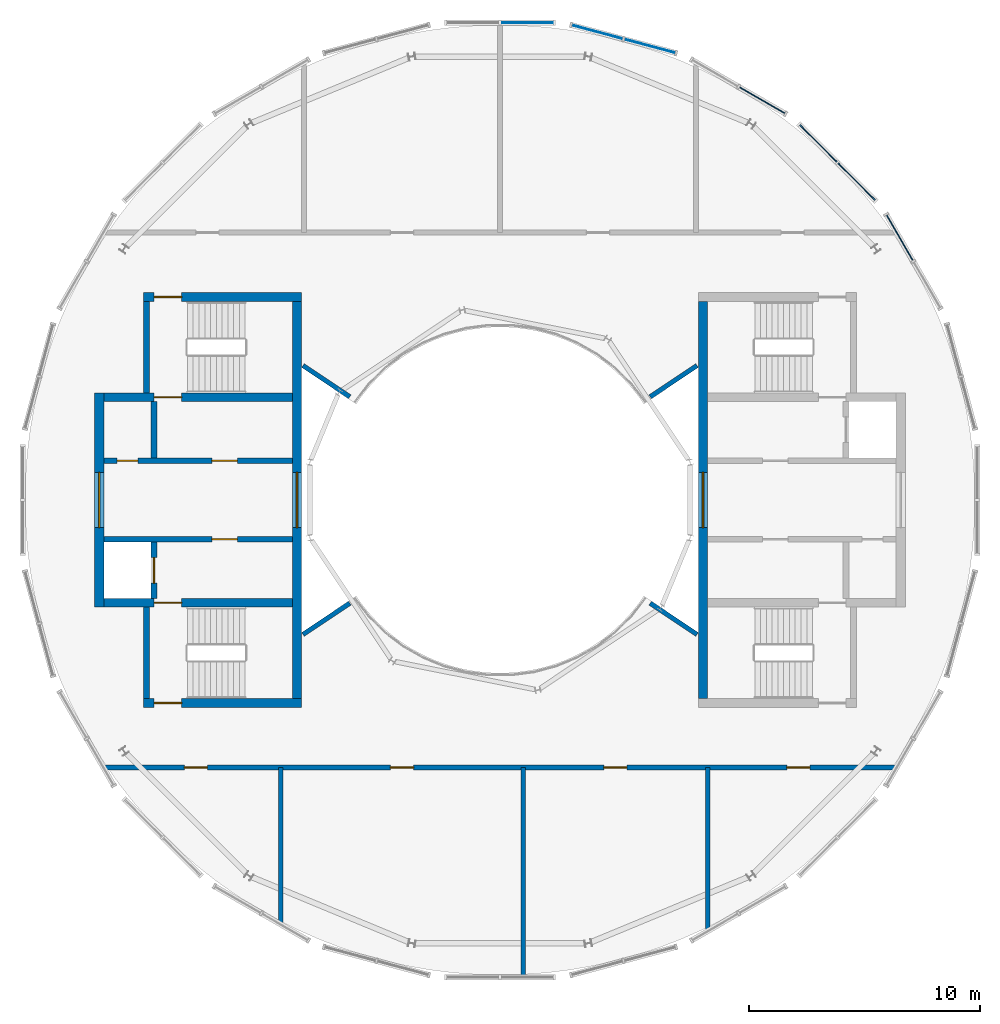
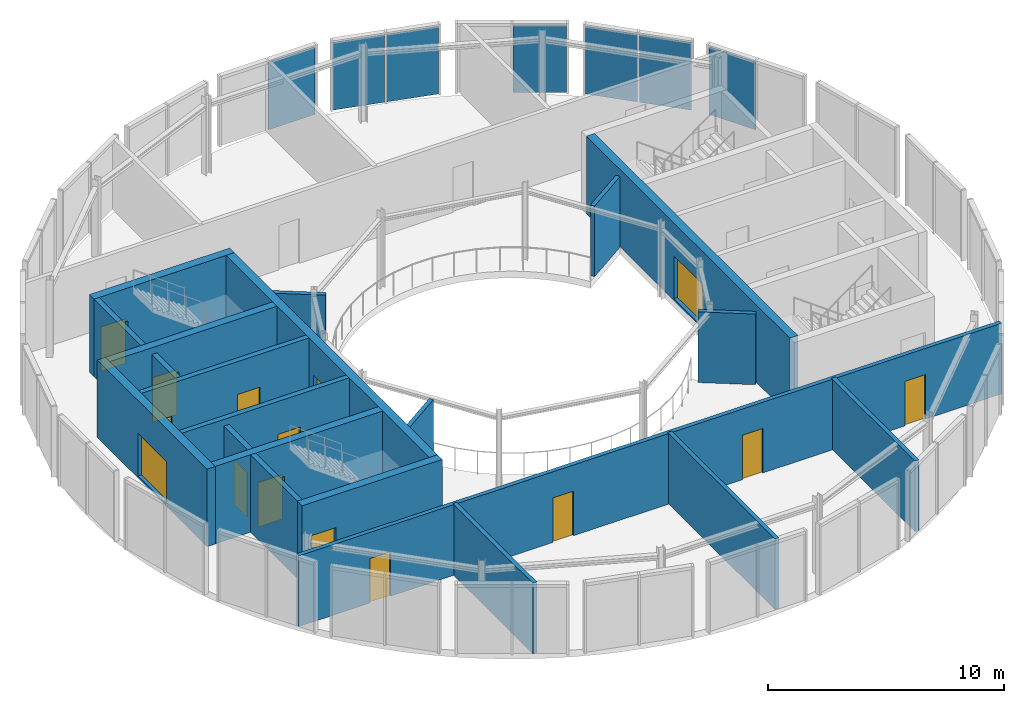
# One storey, part 8 of 12: 21 walls, 12 doors, 7 plates, 3 windows, 15 openings, 5 elements without a shape of their own.
"""IFC4 building model written with IfcOpenShell, lengths in metres."""

from ifc_helpers import new_model, si_unit, direction, frame, frame_2d, origin, origin_2d, place, context, subcontext, project, spatial, rectangle, extrude, material, layer, layer_set, type_object, element, fill, aggregate, save


model = new_model("IFC4")

# Units and contexts
model_context = context("Model", 3, precision=1e-05, world=origin(), true_north=direction((0.0, 1.0)))
body_context = subcontext(model_context, "Body", "Model", "MODEL_VIEW")
ifc_project = project(units=[si_unit("LENGTHUNIT", "METRE"), si_unit("AREAUNIT", "SQUARE_METRE"), si_unit("VOLUMEUNIT", "CUBIC_METRE"), si_unit("PLANEANGLEUNIT", "RADIAN"), si_unit("MASSUNIT", "GRAM", prefix="KILO")], contexts=[model_context])

# Site, building, storey
site_placement = place(None, origin())
site = spatial("IfcSite", under=ifc_project, at=site_placement, CompositionType="ELEMENT")
building_placement = place(site_placement, origin())
building = spatial("IfcBuilding", under=site, at=building_placement, Name="Maasbend Ring Residences", CompositionType="ELEMENT")
storey_placement = place(building_placement, frame((0.0, 0.0, 261.5)))
storey = spatial("IfcBuildingStorey", under=building, at=storey_placement, Name="L75", CompositionType="ELEMENT", Elevation=261.5)

# Curtain wall, plate
ifc_material_1 = material(Name="Aluminium and clear glass", Category="aluminium")
ifc_layer_1 = layer(ifc_material_1, 0.239990234375)
ifc_layer_set_1 = layer_set([ifc_layer_1], Name="CW-CN")
curtain_wall_type = type_object("IfcCurtainWallType", Name="CW-CN", PredefinedType="NOTDEFINED", material=ifc_layer_set_1)
curtain_wall_1_placement = place(storey_placement, origin())
curtain_wall_1 = element("IfcCurtainWall", 1, at=curtain_wall_1_placement, inside=storey, type_object=curtain_wall_type, Name="Crown drum glazing 02 L75", PredefinedType="NOTDEFINED")
ifc_material_2 = material(Name="Glass clear laminated", Category="glass")
ifc_layer_2 = layer(ifc_material_2, 0.0400390625)
ifc_layer_set_2 = layer_set([ifc_layer_2], Name="CWP-CN")
plate_type = type_object("IfcPlateType", Name="CWP-CN", PredefinedType="CURTAIN_PANEL", material=ifc_layer_set_2)
plate_1_placement = place(storey_placement, frame((17.32958984375, 11.3671875, 0.0), z_axis=(0.0, 0.0, 1.0), x_axis=(-0.5, 0.866025403784, 0.0)))
plate_1 = element("IfcPlate", 2, at=plate_1_placement, type_object=plate_type, Name="Glass panel crown cone", PredefinedType="CURTAIN_PANEL", context=body_context, shape_type="SweptSolid", body=[
    extrude(rectangle(XDim=2.26904296875, YDim=0.0400390625, at=origin_2d()), origin(), (0.0, 0.0, 1.0), 3.489990234375),
])
aggregate(curtain_wall_1, [plate_1])

# Curtain wall, plates
curtain_wall_2_placement = place(storey_placement, origin())
curtain_wall_2 = element("IfcCurtainWall", 3, at=curtain_wall_2_placement, inside=storey, type_object=curtain_wall_type, Name="Crown drum glazing 03 L75", PredefinedType="NOTDEFINED")
plate_2_placement = place(storey_placement, frame((15.465087890625, 13.797119140625, 0.0), z_axis=(0.0, 0.0, 1.0), x_axis=(-0.707106781187, 0.707106781187, 0.0)))
plate_2 = element("IfcPlate", 4, at=plate_2_placement, type_object=plate_type, Name="Glass panel crown cone", PredefinedType="CURTAIN_PANEL", context=body_context, shape_type="SweptSolid", body=[
    extrude(rectangle(XDim=2.26904296875, YDim=0.0400390625, at=origin_2d()), origin(), (0.0, 0.0, 1.0), 3.489990234375),
])
plate_3_placement = place(storey_placement, frame((13.797119140625, 15.465087890625, 0.0), z_axis=(0.0, 0.0, 1.0), x_axis=(-0.707106781187, 0.707106781187, 0.0)))
plate_3 = element("IfcPlate", 5, at=plate_3_placement, type_object=plate_type, Name="Glass panel crown cone", PredefinedType="CURTAIN_PANEL", context=body_context, shape_type="SweptSolid", body=[
    extrude(rectangle(XDim=2.26904296875, YDim=0.0400390625, at=origin_2d()), origin(), (0.0, 0.0, 1.0), 3.489990234375),
])
aggregate(curtain_wall_2, [plate_2, plate_3])

# Curtain wall, plate
curtain_wall_3_placement = place(storey_placement, origin())
curtain_wall_3 = element("IfcCurtainWall", 6, at=curtain_wall_3_placement, inside=storey, type_object=curtain_wall_type, Name="Crown drum glazing 04 L75", PredefinedType="NOTDEFINED")
plate_4_placement = place(storey_placement, frame((11.3671875, 17.32958984375, 0.0), z_axis=(0.0, 0.0, 1.0), x_axis=(-0.866025403784, 0.5, 0.0)))
plate_4 = element("IfcPlate", 7, at=plate_4_placement, type_object=plate_type, Name="Glass panel crown cone", PredefinedType="CURTAIN_PANEL", context=body_context, shape_type="SweptSolid", body=[
    extrude(rectangle(XDim=2.26904296875, YDim=0.0400390625, at=origin_2d()), origin(), (0.0, 0.0, 1.0), 3.489990234375),
])
aggregate(curtain_wall_3, [plate_4])

# Curtain wall, plates
curtain_wall_4_placement = place(storey_placement, origin())
curtain_wall_4 = element("IfcCurtainWall", 8, at=curtain_wall_4_placement, inside=storey, type_object=curtain_wall_type, Name="Crown drum glazing 05 L75", PredefinedType="NOTDEFINED")
plate_5_placement = place(storey_placement, frame((6.49462890625, 19.68115234375, 0.0), z_axis=(0.0, 0.0, 1.0), x_axis=(-0.965925826289, 0.258819045103, 0.0)))
plate_5 = element("IfcPlate", 9, at=plate_5_placement, type_object=plate_type, Name="Glass panel crown cone", PredefinedType="CURTAIN_PANEL", context=body_context, shape_type="SweptSolid", body=[
    extrude(rectangle(XDim=2.26904296875, YDim=0.0400390625, at=origin_2d()), origin(), (0.0, 0.0, 1.0), 3.489990234375),
])
plate_6_placement = place(storey_placement, frame((4.216064453125, 20.291748046875, 0.0), z_axis=(0.0, 0.0, 1.0), x_axis=(-0.965925826289, 0.258819045103, 0.0)))
plate_6 = element("IfcPlate", 10, at=plate_6_placement, type_object=plate_type, Name="Glass panel crown cone", PredefinedType="CURTAIN_PANEL", context=body_context, shape_type="SweptSolid", body=[
    extrude(rectangle(XDim=2.26904296875, YDim=0.0400390625, at=origin_2d()), origin(), (0.0, 0.0, 1.0), 3.489990234375),
])
aggregate(curtain_wall_4, [plate_5, plate_6])

# Curtain wall, plate
curtain_wall_5_placement = place(storey_placement, origin())
curtain_wall_5 = element("IfcCurtainWall", 11, at=curtain_wall_5_placement, inside=storey, type_object=curtain_wall_type, Name="Crown drum glazing 06 L75", PredefinedType="NOTDEFINED")
plate_7_placement = place(storey_placement, frame((1.179443359375, 20.69140625, 0.0), z_axis=(0.0, 0.0, 1.0), x_axis=(-1.0, 0.0, 0.0)))
plate_7 = element("IfcPlate", 12, at=plate_7_placement, type_object=plate_type, Name="Glass panel crown cone", PredefinedType="CURTAIN_PANEL", context=body_context, shape_type="SweptSolid", body=[
    extrude(rectangle(XDim=2.26904296875, YDim=0.0400390625, at=origin_2d()), origin(), (0.0, 0.0, 1.0), 3.489990234375),
])
aggregate(curtain_wall_5, [plate_7])

# Wall, openings, doors
ifc_material_3 = material(Name="Concrete C30/37", Category="concrete")
ifc_layer_3 = layer(ifc_material_3, 0.199951171875)
ifc_layer_set_3 = layer_set([ifc_layer_3], Name="Concrete C30/37")
wall_type_1 = type_object("IfcWallType", Name="COMPARTMENT WALL 200 CONCRETE", PredefinedType="PARTITIONING", material=ifc_layer_set_3)
wall_1_placement = place(storey_placement, frame((-17.177001953125, -11.60009765625, 0.0), z_axis=(0.0, 0.0, 1.0), x_axis=(1.0, 0.0, 0.0)))
wall_1 = element("IfcWall", 13, at=wall_1_placement, inside=storey, type_object=wall_type_1, Name="U-L75-w001", PredefinedType="PARTITIONING", context=body_context, shape_type="SweptSolid", body=[
    extrude(rectangle(XDim=34.35400390625, YDim=0.199951171875, at=frame_2d((17.177001953125, 0.0))), origin(), (0.0, 0.0, 1.0), 3.64990234375),
])
opening_1_placement = place(wall_1_placement, frame((3.490966796875, 0.0, 0.0)))
opening_1 = element("IfcOpeningElement", 14, at=opening_1_placement, cuts=wall_1, Name="Opening D-7505", PredefinedType="OPENING", context=body_context, shape_type="SweptSolid", body=[
    extrude(rectangle(XDim=1.0, YDim=2.300048828125, at=frame_2d((0.5, 1.14990234375))), frame((0.0, 0.10986328125, 0.0), z_axis=(0.0, -1.0, 0.0), x_axis=(1.0, 0.0, 0.0)), (0.0, 0.0, 1.0), 0.219970703125),
])
opening_2_placement = place(wall_1_placement, frame((12.427001953125, 0.0, 0.0)))
opening_2 = element("IfcOpeningElement", 15, at=opening_2_placement, cuts=wall_1, Name="Opening D-7506", PredefinedType="OPENING", context=body_context, shape_type="SweptSolid", body=[
    extrude(rectangle(XDim=1.0, YDim=2.300048828125, at=frame_2d((0.5, 1.14990234375))), frame((0.0, 0.10986328125, 0.0), z_axis=(0.0, -1.0, 0.0), x_axis=(1.0, 0.0, 0.0)), (0.0, 0.0, 1.0), 0.219970703125),
])
opening_3_placement = place(wall_1_placement, frame((21.677001953125, 0.0, 0.0)))
opening_3 = element("IfcOpeningElement", 16, at=opening_3_placement, cuts=wall_1, Name="Opening D-7507", PredefinedType="OPENING", context=body_context, shape_type="SweptSolid", body=[
    extrude(rectangle(XDim=1.0, YDim=2.300048828125, at=frame_2d((0.5, 1.14990234375))), frame((0.0, 0.10986328125, 0.0), z_axis=(0.0, -1.0, 0.0), x_axis=(1.0, 0.0, 0.0)), (0.0, 0.0, 1.0), 0.219970703125),
])
opening_4_placement = place(wall_1_placement, frame((29.613037109375, 0.0, 0.0)))
opening_4 = element("IfcOpeningElement", 17, at=opening_4_placement, cuts=wall_1, Name="Opening D-7508", PredefinedType="OPENING", context=body_context, shape_type="SweptSolid", body=[
    extrude(rectangle(XDim=1.0, YDim=2.300048828125, at=frame_2d((0.5, 1.14990234375))), frame((0.0, 0.10986328125, 0.0), z_axis=(0.0, -1.0, 0.0), x_axis=(1.0, 0.0, 0.0)), (0.0, 0.0, 1.0), 0.219970703125),
])
ifc_material_4 = material(Name="Steel, fire-rated, painted", Category="steel")
door_type_1 = type_object("IfcDoorType", Name="PLANT DOOR 1000 X 2300 FIRE-RATED", OperationType="NOTDEFINED", PredefinedType="DOOR", material=ifc_material_4)
door_1_placement = place(opening_1_placement, origin())
door_1 = element("IfcDoor", 18, at=door_1_placement, inside=storey, type_object=door_type_1, Name="D-7505", OperationType="SINGLE_SWING_LEFT", OverallHeight=2.300048828125, OverallWidth=1.0, PredefinedType="DOOR", context=body_context, shape_type="SweptSolid", body=[
    extrude(rectangle(XDim=1.0, YDim=2.300048828125, at=frame_2d((0.5, 1.14990234375))), frame((0.0, 0.02490234375, 0.0), z_axis=(0.0, -1.0, 0.0), x_axis=(1.0, 0.0, 0.0)), (0.0, 0.0, 1.0), 0.050048828125),
])
fill(opening_1, door_1)
door_2_placement = place(opening_2_placement, origin())
door_2 = element("IfcDoor", 19, at=door_2_placement, inside=storey, type_object=door_type_1, Name="D-7506", OperationType="SINGLE_SWING_LEFT", OverallHeight=2.300048828125, OverallWidth=1.0, PredefinedType="DOOR", context=body_context, shape_type="SweptSolid", body=[
    extrude(rectangle(XDim=1.0, YDim=2.300048828125, at=frame_2d((0.5, 1.14990234375))), frame((0.0, 0.02490234375, 0.0), z_axis=(0.0, -1.0, 0.0), x_axis=(1.0, 0.0, 0.0)), (0.0, 0.0, 1.0), 0.050048828125),
])
fill(opening_2, door_2)
door_3_placement = place(opening_3_placement, origin())
door_3 = element("IfcDoor", 20, at=door_3_placement, inside=storey, type_object=door_type_1, Name="D-7507", OperationType="SINGLE_SWING_RIGHT", OverallHeight=2.300048828125, OverallWidth=1.0, PredefinedType="DOOR", context=body_context, shape_type="SweptSolid", body=[
    extrude(rectangle(XDim=1.0, YDim=2.300048828125, at=frame_2d((0.5, 1.14990234375))), frame((0.0, 0.02490234375, 0.0), z_axis=(0.0, -1.0, 0.0), x_axis=(1.0, 0.0, 0.0)), (0.0, 0.0, 1.0), 0.050048828125),
])
fill(opening_3, door_3)
door_4_placement = place(opening_4_placement, origin())
door_4 = element("IfcDoor", 21, at=door_4_placement, inside=storey, type_object=door_type_1, Name="D-7508", OperationType="SINGLE_SWING_RIGHT", OverallHeight=2.300048828125, OverallWidth=1.0, PredefinedType="DOOR", context=body_context, shape_type="SweptSolid", body=[
    extrude(rectangle(XDim=1.0, YDim=2.300048828125, at=frame_2d((0.5, 1.14990234375))), frame((0.0, 0.02490234375, 0.0), z_axis=(0.0, -1.0, 0.0), x_axis=(1.0, 0.0, 0.0)), (0.0, 0.0, 1.0), 0.050048828125),
])
fill(opening_4, door_4)

# Walls
wall_2_placement = place(storey_placement, frame((9.0, -18.677978515625, 0.0), z_axis=(0.0, 0.0, 1.0), x_axis=(0.0, 1.0, 0.0)))
element("IfcWall", 22, at=wall_2_placement, inside=storey, type_object=wall_type_1, Name="U-L75-w002", PredefinedType="PARTITIONING", context=body_context, shape_type="SweptSolid", body=[
    extrude(rectangle(XDim=7.077880859375, YDim=0.199951171875, at=frame_2d((3.5390625, 0.0))), origin(), (0.0, 0.0, 1.0), 3.64990234375),
])
wall_3_placement = place(storey_placement, frame((1.0, -20.69091796875, 0.0), z_axis=(0.0, 0.0, 1.0), x_axis=(0.0, 1.0, 0.0)))
element("IfcWall", 23, at=wall_3_placement, inside=storey, type_object=wall_type_1, Name="U-L75-w004", PredefinedType="PARTITIONING", context=body_context, shape_type="SweptSolid", body=[
    extrude(rectangle(XDim=9.0908203125, YDim=0.199951171875, at=frame_2d((4.54541015625, 0.0))), origin(), (0.0, 0.0, 1.0), 3.64990234375),
])
wall_4_placement = place(storey_placement, frame((-9.5, -18.388916015625, 0.0), z_axis=(0.0, 0.0, 1.0), x_axis=(0.0, 1.0, 0.0)))
element("IfcWall", 24, at=wall_4_placement, inside=storey, type_object=wall_type_1, Name="U-L75-w011", PredefinedType="PARTITIONING", context=body_context, shape_type="SweptSolid", body=[
    extrude(rectangle(XDim=6.788818359375, YDim=0.199951171875, at=frame_2d((3.39453125, 0.0))), origin(), (0.0, 0.0, 1.0), 3.64990234375),
])

# Wall, opening, door
ifc_material_5 = material(Name="Concrete C50/60", Category="concrete")
ifc_layer_4 = layer(ifc_material_5, 0.25)
ifc_layer_set_4 = layer_set([ifc_layer_4], Name="Concrete C50/60")
wall_type_2 = type_object("IfcWallType", Name="CORE WALL 250 C50/60", PredefinedType="SHEAR", material=ifc_layer_set_4)
wall_5_placement = place(storey_placement, frame((-9.0, -1.699951171875, 0.0), z_axis=(0.0, 0.0, 1.0), x_axis=(-1.0, 0.0, 0.0)))
wall_5 = element("IfcWall", 25, at=wall_5_placement, inside=storey, type_object=wall_type_2, Name="L75 core W wall SPN", PredefinedType="SHEAR", context=body_context, shape_type="SweptSolid", body=[
    extrude(rectangle(XDim=8.175048828125, YDim=0.25, at=frame_2d((4.08740234375, 0.0))), origin(), (0.0, 0.0, 1.0), 4.0),
])
opening_5_placement = place(wall_5_placement, frame((2.387451171875, 0.0, 0.0)))
opening_5 = element("IfcOpeningElement", 26, at=opening_5_placement, cuts=wall_5, Name="Opening D-W7502", PredefinedType="OPENING", context=body_context, shape_type="SweptSolid", body=[
    extrude(rectangle(XDim=1.10009765625, YDim=2.300048828125, at=frame_2d((0.550048828125, 1.14990234375))), frame((0.0, 0.135009765625, 0.0), z_axis=(0.0, -1.0, 0.0), x_axis=(1.0, 0.0, 0.0)), (0.0, 0.0, 1.0), 0.27001953125),
])
ifc_material_6 = material(Name="Steel, powder coated", Category="steel")
door_type_2 = type_object("IfcDoorType", Name="LOBBY DOOR 1100 X 2300 FD60", OperationType="NOTDEFINED", PredefinedType="DOOR", material=ifc_material_6)
door_5_placement = place(opening_5_placement, origin())
door_5 = element("IfcDoor", 27, at=door_5_placement, inside=storey, type_object=door_type_2, Name="Lobby door L75", OperationType="SINGLE_SWING_RIGHT", OverallHeight=2.300048828125, OverallWidth=1.10009765625, PredefinedType="DOOR", context=body_context, shape_type="SweptSolid", body=[
    extrude(rectangle(XDim=1.10009765625, YDim=2.300048828125, at=frame_2d((0.550048828125, 1.14990234375))), frame((0.0, 0.02490234375, 0.0), z_axis=(0.0, -1.0, 0.0), x_axis=(1.0, 0.0, 0.0)), (0.0, 0.0, 1.0), 0.050048828125),
])
fill(opening_5, door_5)

# Wall
wall_6_placement = place(storey_placement, frame((-15.324951171875, -4.64990234375, 0.0), z_axis=(0.0, 0.0, 1.0), x_axis=(0.0, -1.0, 0.0)))
element("IfcWall", 28, at=wall_6_placement, inside=storey, type_object=wall_type_2, Name="L75 core W wall STEN", PredefinedType="SHEAR", context=body_context, shape_type="SweptSolid", body=[
    extrude(rectangle(XDim=3.9501953125, YDim=0.25, at=frame_2d((1.97509765625, 0.0))), origin(), (0.0, 0.0, 1.0), 4.0),
])

# Wall, openings, doors
wall_7_placement = place(storey_placement, frame((-17.175048828125, 1.699951171875, 0.0), z_axis=(0.0, 0.0, 1.0), x_axis=(1.0, 0.0, 0.0)))
wall_7 = element("IfcWall", 29, at=wall_7_placement, inside=storey, type_object=wall_type_2, Name="L75 core W wall SPS", PredefinedType="SHEAR", context=body_context, shape_type="SweptSolid", body=[
    extrude(rectangle(XDim=8.175048828125, YDim=0.25, at=frame_2d((4.08740234375, 0.0))), origin(), (0.0, 0.0, 1.0), 4.0),
])
opening_6_placement = place(wall_7_placement, frame((4.6875, 0.0, 0.0)))
opening_6 = element("IfcOpeningElement", 30, at=opening_6_placement, cuts=wall_7, Name="Opening D-W7503", PredefinedType="OPENING", context=body_context, shape_type="SweptSolid", body=[
    extrude(rectangle(XDim=1.10009765625, YDim=2.300048828125, at=frame_2d((0.550048828125, 1.14990234375))), frame((0.0, 0.135009765625, 0.0), z_axis=(0.0, -1.0, 0.0), x_axis=(1.0, 0.0, 0.0)), (0.0, 0.0, 1.0), 0.27001953125),
])
opening_7_placement = place(wall_7_placement, frame((0.574951171875, 0.0, 0.0)))
opening_7 = element("IfcOpeningElement", 31, at=opening_7_placement, cuts=wall_7, Name="Opening D-W7504", PredefinedType="OPENING", context=body_context, shape_type="SweptSolid", body=[
    extrude(rectangle(XDim=0.89990234375, YDim=2.300048828125, at=frame_2d((0.449951171875, 1.14990234375))), frame((0.0, 0.135009765625, 0.0), z_axis=(0.0, -1.0, 0.0), x_axis=(1.0, 0.0, 0.0)), (0.0, 0.0, 1.0), 0.27001953125),
])
ifc_material_7 = material(Name="Steel, powder coated", Category="steel")
door_type_3 = type_object("IfcDoorType", Name="ROOM DOOR 1100 X 2300 FD30S", OperationType="NOTDEFINED", PredefinedType="DOOR", material=ifc_material_7)
door_6_placement = place(opening_6_placement, origin())
door_6 = element("IfcDoor", 32, at=door_6_placement, inside=storey, type_object=door_type_3, Name="Room door L75", OperationType="SINGLE_SWING_LEFT", OverallHeight=2.300048828125, OverallWidth=1.10009765625, PredefinedType="DOOR", context=body_context, shape_type="SweptSolid", body=[
    extrude(rectangle(XDim=1.10009765625, YDim=2.300048828125, at=frame_2d((0.550048828125, 1.14990234375))), frame((0.0, 0.02490234375, 0.0), z_axis=(0.0, -1.0, 0.0), x_axis=(1.0, 0.0, 0.0)), (0.0, 0.0, 1.0), 0.050048828125),
])
fill(opening_6, door_6)
ifc_material_8 = material(Name="Steel, powder coated", Category="steel")
door_type_4 = type_object("IfcDoorType", Name="ROOM DOOR 900 X 2300 FD30S", OperationType="NOTDEFINED", PredefinedType="DOOR", material=ifc_material_8)
door_7_placement = place(opening_7_placement, origin())
door_7 = element("IfcDoor", 33, at=door_7_placement, inside=storey, type_object=door_type_4, Name="Room door L75", OperationType="SINGLE_SWING_RIGHT", OverallHeight=2.300048828125, OverallWidth=0.89990234375, PredefinedType="DOOR", context=body_context, shape_type="SweptSolid", body=[
    extrude(rectangle(XDim=0.89990234375, YDim=2.300048828125, at=frame_2d((0.449951171875, 1.14990234375))), frame((0.0, 0.02490234375, 0.0), z_axis=(0.0, -1.0, 0.0), x_axis=(1.0, 0.0, 0.0)), (0.0, 0.0, 1.0), 0.050048828125),
])
fill(opening_7, door_7)

# Wall
wall_8_placement = place(storey_placement, frame((-15.324951171875, 4.64990234375, 0.0), z_axis=(0.0, 0.0, 1.0), x_axis=(0.0, 1.0, 0.0)))
element("IfcWall", 34, at=wall_8_placement, inside=storey, type_object=wall_type_2, Name="L75 core W wall STES", PredefinedType="SHEAR", context=body_context, shape_type="SweptSolid", body=[
    extrude(rectangle(XDim=3.9501953125, YDim=0.25, at=frame_2d((1.97509765625, 0.0))), origin(), (0.0, 0.0, 1.0), 4.0),
])

# Wall, opening, door
ifc_material_9 = material(Name="Concrete C50/60", Category="concrete")
ifc_layer_5 = layer(ifc_material_9, 0.375)
ifc_layer_set_5 = layer_set([ifc_layer_5], Name="Concrete C50/60")
wall_type_3 = type_object("IfcWallType", Name="CORE WALL 375 C50/60", PredefinedType="SHEAR", material=ifc_layer_set_5)
wall_9_placement = place(storey_placement, frame((-9.0, -4.46240234375, 0.0), z_axis=(0.0, 0.0, 1.0), x_axis=(-1.0, 0.0, 0.0)))
wall_9 = element("IfcWall", 35, at=wall_9_placement, inside=storey, type_object=wall_type_3, Name="L75 core W wall BN", PredefinedType="SHEAR", context=body_context, shape_type="SweptSolid", body=[
    extrude(rectangle(XDim=8.175048828125, YDim=0.375, at=frame_2d((4.08740234375, 0.0))), origin(), (0.0, 0.0, 1.0), 4.0),
])
opening_8_placement = place(wall_9_placement, frame((4.800048828125, 0.0, 0.0)))
opening_8 = element("IfcOpeningElement", 36, at=opening_8_placement, cuts=wall_9, Name="Opening D-W7505", PredefinedType="OPENING", context=body_context, shape_type="SweptSolid", body=[
    extrude(rectangle(XDim=1.199951171875, YDim=2.300048828125, at=frame_2d((0.60009765625, 1.14990234375))), frame((0.0, 0.197509765625, 0.0), z_axis=(0.0, -1.0, 0.0), x_axis=(1.0, 0.0, 0.0)), (0.0, 0.0, 1.0), 0.39501953125),
])
ifc_material_10 = material(Name="Steel, powder coated", Category="steel")
door_type_5 = type_object("IfcDoorType", Name="STAIR DOOR 1200 X 2300 FD60", OperationType="NOTDEFINED", PredefinedType="DOOR", material=ifc_material_10)
door_8_placement = place(opening_8_placement, origin())
door_8 = element("IfcDoor", 37, at=door_8_placement, inside=storey, type_object=door_type_5, Name="Stair door ST-W L75", OperationType="SINGLE_SWING_LEFT", OverallHeight=2.300048828125, OverallWidth=1.199951171875, PredefinedType="DOOR", context=body_context, shape_type="SweptSolid", body=[
    extrude(rectangle(XDim=1.199951171875, YDim=2.300048828125, at=frame_2d((0.60009765625, 1.14990234375))), frame((0.0, 0.02490234375, 0.0), z_axis=(0.0, -1.0, 0.0), x_axis=(1.0, 0.0, 0.0)), (0.0, 0.0, 1.0), 0.050048828125),
])
fill(opening_8, door_8)

wall_10_placement = place(storey_placement, frame((-17.175048828125, 4.46240234375, 0.0), z_axis=(0.0, 0.0, 1.0), x_axis=(1.0, 0.0, 0.0)))
wall_10 = element("IfcWall", 38, at=wall_10_placement, inside=storey, type_object=wall_type_3, Name="L75 core W wall BS", PredefinedType="SHEAR", context=body_context, shape_type="SweptSolid", body=[
    extrude(rectangle(XDim=8.175048828125, YDim=0.375, at=frame_2d((4.08740234375, 0.0))), origin(), (0.0, 0.0, 1.0), 4.0),
])
opening_9_placement = place(wall_10_placement, frame((2.175048828125, 0.0, 0.0)))
opening_9 = element("IfcOpeningElement", 39, at=opening_9_placement, cuts=wall_10, Name="Opening D-W7506", PredefinedType="OPENING", context=body_context, shape_type="SweptSolid", body=[
    extrude(rectangle(XDim=1.199951171875, YDim=2.300048828125, at=frame_2d((0.60009765625, 1.14990234375))), frame((0.0, 0.197509765625, 0.0), z_axis=(0.0, -1.0, 0.0), x_axis=(1.0, 0.0, 0.0)), (0.0, 0.0, 1.0), 0.39501953125),
])
door_9_placement = place(opening_9_placement, origin())
door_9 = element("IfcDoor", 40, at=door_9_placement, inside=storey, type_object=door_type_5, Name="Stair door ST-W L75", OperationType="SINGLE_SWING_RIGHT", OverallHeight=2.300048828125, OverallWidth=1.199951171875, PredefinedType="DOOR", context=body_context, shape_type="SweptSolid", body=[
    extrude(rectangle(XDim=1.199951171875, YDim=2.300048828125, at=frame_2d((0.60009765625, 1.14990234375))), frame((0.0, 0.02490234375, 0.0), z_axis=(0.0, -1.0, 0.0), x_axis=(1.0, 0.0, 0.0)), (0.0, 0.0, 1.0), 0.050048828125),
])
fill(opening_9, door_9)

# Wall, opening, window
ifc_material_11 = material(Name="Concrete C50/60", Category="concrete")
ifc_layer_6 = layer(ifc_material_11, 0.39990234375)
ifc_layer_set_6 = layer_set([ifc_layer_6], Name="Concrete C50/60")
wall_type_4 = type_object("IfcWallType", Name="CORE WALL 400 C50/60", PredefinedType="SHEAR", material=ifc_layer_set_6)
wall_11_placement = place(storey_placement, frame((8.800048828125, -8.60009765625, 0.0), z_axis=(0.0, 0.0, 1.0), x_axis=(0.0, 1.0, 0.0)))
wall_11 = element("IfcWall", 41, at=wall_11_placement, inside=storey, type_object=wall_type_4, Name="L75 core E wall PIN", PredefinedType="SHEAR", context=body_context, shape_type="SweptSolid", body=[
    extrude(rectangle(XDim=17.2001953125, YDim=0.39990234375, at=frame_2d((8.60009765625, 0.0))), origin(), (0.0, 0.0, 1.0), 4.0),
])
opening_10_placement = place(wall_11_placement, frame((7.39990234375, 0.0, 0.10009765625)))
opening_10 = element("IfcOpeningElement", 42, at=opening_10_placement, cuts=wall_11, Name="Opening W-E7501", PredefinedType="OPENING", context=body_context, shape_type="SweptSolid", body=[
    extrude(rectangle(XDim=2.39990234375, YDim=2.199951171875, at=frame_2d((1.199951171875, 1.10009765625))), frame((0.0, 0.2099609375, 0.0), z_axis=(0.0, -1.0, 0.0), x_axis=(1.0, 0.0, 0.0)), (0.0, 0.0, 1.0), 0.419921875),
])
ifc_material_12 = material(Name="Aluminium frame and clear glass", Category="aluminium")
window_type = type_object("IfcWindowType", Name="FIXED WINDOW 2400 X 2200", PartitioningType="SINGLE_PANEL", PredefinedType="WINDOW", material=ifc_material_12)
window_1_placement = place(opening_10_placement, origin())
window_1 = element("IfcWindow", 43, at=window_1_placement, inside=storey, type_object=window_type, Name="Lobby window L75", OverallHeight=2.199951171875, OverallWidth=2.39990234375, PartitioningType="SINGLE_PANEL", PredefinedType="WINDOW", context=body_context, shape_type="SweptSolid", body=[
    extrude(rectangle(XDim=2.39990234375, YDim=2.199951171875, at=frame_2d((1.199951171875, 1.10009765625))), frame((0.0, 0.030029296875, 0.0), z_axis=(0.0, -1.0, 0.0), x_axis=(1.0, 0.0, 0.0)), (0.0, 0.0, 1.0), 0.06005859375),
])
fill(opening_10, window_1)

# Wall, opening, door
wall_12_placement = place(storey_placement, frame((-15.449951171875, -8.800048828125, 0.0), z_axis=(0.0, 0.0, 1.0), x_axis=(1.0, 0.0, 0.0)))
wall_12 = element("IfcWall", 44, at=wall_12_placement, inside=storey, type_object=wall_type_4, Name="L75 core W wall PN", PredefinedType="SHEAR", context=body_context, shape_type="SweptSolid", body=[
    extrude(rectangle(XDim=6.849853515625, YDim=0.39990234375, at=frame_2d((3.4248046875, 0.0))), origin(), (0.0, 0.0, 1.0), 4.0),
])
opening_11_placement = place(wall_12_placement, frame((0.449951171875, 0.0, 0.0)))
opening_11 = element("IfcOpeningElement", 45, at=opening_11_placement, cuts=wall_12, Name="Opening D-W7507", PredefinedType="OPENING", context=body_context, shape_type="SweptSolid", body=[
    extrude(rectangle(XDim=1.199951171875, YDim=2.300048828125, at=frame_2d((0.60009765625, 1.14990234375))), frame((0.0, 0.2099609375, 0.0), z_axis=(0.0, -1.0, 0.0), x_axis=(1.0, 0.0, 0.0)), (0.0, 0.0, 1.0), 0.419921875),
])
door_10_placement = place(opening_11_placement, origin())
door_10 = element("IfcDoor", 46, at=door_10_placement, inside=storey, type_object=door_type_5, Name="Stair door ST-W L75", OperationType="SINGLE_SWING_RIGHT", OverallHeight=2.300048828125, OverallWidth=1.199951171875, PredefinedType="DOOR", context=body_context, shape_type="SweptSolid", body=[
    extrude(rectangle(XDim=1.199951171875, YDim=2.300048828125, at=frame_2d((0.60009765625, 1.14990234375))), frame((0.0, 0.02490234375, 0.0), z_axis=(0.0, -1.0, 0.0), x_axis=(1.0, 0.0, 0.0)), (0.0, 0.0, 1.0), 0.050048828125),
])
fill(opening_11, door_10)

wall_13_placement = place(storey_placement, frame((-8.60009765625, 8.800048828125, 0.0), z_axis=(0.0, 0.0, 1.0), x_axis=(-1.0, 0.0, 0.0)))
wall_13 = element("IfcWall", 47, at=wall_13_placement, inside=storey, type_object=wall_type_4, Name="L75 core W wall PS", PredefinedType="SHEAR", context=body_context, shape_type="SweptSolid", body=[
    extrude(rectangle(XDim=6.849853515625, YDim=0.39990234375, at=frame_2d((3.4248046875, 0.0))), origin(), (0.0, 0.0, 1.0), 4.0),
])
opening_12_placement = place(wall_13_placement, frame((5.199951171875, 0.0, 0.0)))
opening_12 = element("IfcOpeningElement", 48, at=opening_12_placement, cuts=wall_13, Name="Opening D-W7508", PredefinedType="OPENING", context=body_context, shape_type="SweptSolid", body=[
    extrude(rectangle(XDim=1.199951171875, YDim=2.300048828125, at=frame_2d((0.60009765625, 1.14990234375))), frame((0.0, 0.2099609375, 0.0), z_axis=(0.0, -1.0, 0.0), x_axis=(1.0, 0.0, 0.0)), (0.0, 0.0, 1.0), 0.419921875),
])
door_11_placement = place(opening_12_placement, origin())
door_11 = element("IfcDoor", 49, at=door_11_placement, inside=storey, type_object=door_type_5, Name="Stair door ST-W L75", OperationType="SINGLE_SWING_LEFT", OverallHeight=2.300048828125, OverallWidth=1.199951171875, PredefinedType="DOOR", context=body_context, shape_type="SweptSolid", body=[
    extrude(rectangle(XDim=1.199951171875, YDim=2.300048828125, at=frame_2d((0.60009765625, 1.14990234375))), frame((0.0, 0.02490234375, 0.0), z_axis=(0.0, -1.0, 0.0), x_axis=(1.0, 0.0, 0.0)), (0.0, 0.0, 1.0), 0.050048828125),
])
fill(opening_12, door_11)

# Wall, opening, window
wall_14_placement = place(storey_placement, frame((-17.375, 4.64990234375, 0.0), z_axis=(0.0, 0.0, 1.0), x_axis=(0.0, -1.0, 0.0)))
wall_14 = element("IfcWall", 50, at=wall_14_placement, inside=storey, type_object=wall_type_4, Name="L75 core W wall POUT", PredefinedType="SHEAR", context=body_context, shape_type="SweptSolid", body=[
    extrude(rectangle(XDim=9.2998046875, YDim=0.39990234375, at=frame_2d((4.64990234375, 0.0))), origin(), (0.0, 0.0, 1.0), 4.0),
])
opening_13_placement = place(wall_14_placement, frame((3.449951171875, 0.0, 0.10009765625)))
opening_13 = element("IfcOpeningElement", 51, at=opening_13_placement, cuts=wall_14, Name="Opening W-W7502", PredefinedType="OPENING", context=body_context, shape_type="SweptSolid", body=[
    extrude(rectangle(XDim=2.39990234375, YDim=2.199951171875, at=frame_2d((1.199951171875, 1.10009765625))), frame((0.0, 0.2099609375, 0.0), z_axis=(0.0, -1.0, 0.0), x_axis=(1.0, 0.0, 0.0)), (0.0, 0.0, 1.0), 0.419921875),
])
window_2_placement = place(opening_13_placement, origin())
window_2 = element("IfcWindow", 52, at=window_2_placement, inside=storey, type_object=window_type, Name="Lobby window L75", OverallHeight=2.199951171875, OverallWidth=2.39990234375, PartitioningType="SINGLE_PANEL", PredefinedType="WINDOW", context=body_context, shape_type="SweptSolid", body=[
    extrude(rectangle(XDim=2.39990234375, YDim=2.199951171875, at=frame_2d((1.199951171875, 1.10009765625))), frame((0.0, 0.030029296875, 0.0), z_axis=(0.0, -1.0, 0.0), x_axis=(1.0, 0.0, 0.0)), (0.0, 0.0, 1.0), 0.06005859375),
])
fill(opening_13, window_2)

wall_15_placement = place(storey_placement, frame((-8.800048828125, 8.60009765625, 0.0), z_axis=(0.0, 0.0, 1.0), x_axis=(0.0, -1.0, 0.0)))
wall_15 = element("IfcWall", 53, at=wall_15_placement, inside=storey, type_object=wall_type_4, Name="L75 core W wall PIN", PredefinedType="SHEAR", context=body_context, shape_type="SweptSolid", body=[
    extrude(rectangle(XDim=17.2001953125, YDim=0.39990234375, at=frame_2d((8.60009765625, 0.0))), origin(), (0.0, 0.0, 1.0), 4.0),
])
opening_14_placement = place(wall_15_placement, frame((7.39990234375, 0.0, 0.10009765625)))
opening_14 = element("IfcOpeningElement", 54, at=opening_14_placement, cuts=wall_15, Name="Opening W-W7501", PredefinedType="OPENING", context=body_context, shape_type="SweptSolid", body=[
    extrude(rectangle(XDim=2.39990234375, YDim=2.199951171875, at=frame_2d((1.199951171875, 1.10009765625))), frame((0.0, 0.2099609375, 0.0), z_axis=(0.0, -1.0, 0.0), x_axis=(1.0, 0.0, 0.0)), (0.0, 0.0, 1.0), 0.419921875),
])
window_3_placement = place(opening_14_placement, origin())
window_3 = element("IfcWindow", 55, at=window_3_placement, inside=storey, type_object=window_type, Name="Lobby window L75", OverallHeight=2.199951171875, OverallWidth=2.39990234375, PartitioningType="SINGLE_PANEL", PredefinedType="WINDOW", context=body_context, shape_type="SweptSolid", body=[
    extrude(rectangle(XDim=2.39990234375, YDim=2.199951171875, at=frame_2d((1.199951171875, 1.10009765625))), frame((0.0, 0.030029296875, 0.0), z_axis=(0.0, -1.0, 0.0), x_axis=(1.0, 0.0, 0.0)), (0.0, 0.0, 1.0), 0.06005859375),
])
fill(opening_14, window_3)

# Walls
ifc_material_13 = material(Name="Concrete C30/37", Category="concrete")
ifc_layer_7 = layer(ifc_material_13, 0.199951171875)
ifc_layer_set_7 = layer_set([ifc_layer_7], Name="Concrete C30/37")
wall_type_5 = type_object("IfcWallType", Name="PARTY WALL 200 CONCRETE", PredefinedType="PARTITIONING", material=ifc_layer_set_7)
for number, where, z_axis, x_axis, name in (
    (56, (-6.512939453125, -4.471923828125, 0.0), (0.0, 0.0, 1.0), (-0.831450132577, -0.555599385382, 0.0), "U-L75-w005"),
    (57, (6.512939453125, -4.471923828125, 0.0), (0.0, 0.0, 1.0), (0.831450132577, -0.555599385382, 0.0), "U-L75-w006"),
    (58, (-6.512939453125, 4.471923828125, 0.0), (0.0, 0.0, 1.0), (-0.831450132577, 0.555599385382, 0.0), "U-L75-w008"),
    (59, (6.512939453125, 4.471923828125, 0.0), (0.0, 0.0, 1.0), (0.831450132577, 0.555599385382, 0.0), "U-L75-w009"),
):
    element("IfcWall", number, at=place(storey_placement, frame(where, z_axis=z_axis, x_axis=x_axis)), inside=storey, type_object=wall_type_5, Name=name, PredefinedType="PARTITIONING", context=body_context, shape_type="SweptSolid", body=[
        extrude(rectangle(XDim=2.442626953125, YDim=0.199951171875, at=frame_2d((1.22119140625, 0.0))), origin(), (0.0, 0.0, 1.0), 3.64990234375),
    ])

# Wall, opening, door
ifc_material_14 = material(Name="Concrete C30/37", Category="concrete")
ifc_layer_8 = layer(ifc_material_14, 0.25)
ifc_layer_set_8 = layer_set([ifc_layer_8], Name="Concrete C30/37")
wall_type_6 = type_object("IfcWallType", Name="SHAFT WALL 250 EI 120", PredefinedType="SOLIDWALL", material=ifc_layer_set_8)
wall_16_placement = place(storey_placement, frame((-15.0, -1.824951171875, 0.0), z_axis=(0.0, 0.0, 1.0), x_axis=(0.0, -1.0, 0.0)))
wall_16 = element("IfcWall", 60, at=wall_16_placement, inside=storey, type_object=wall_type_6, Name="L75 core W wall D150N", PredefinedType="SOLIDWALL", context=body_context, shape_type="SweptSolid", body=[
    extrude(rectangle(XDim=2.449951171875, YDim=0.25, at=frame_2d((1.22509765625, 0.0))), origin(), (0.0, 0.0, 1.0), 3.64990234375),
])
opening_15_placement = place(wall_16_placement, frame((0.675048828125, 0.0, 0.0)))
opening_15 = element("IfcOpeningElement", 61, at=opening_15_placement, cuts=wall_16, Name="Opening LD-W7501", PredefinedType="OPENING", context=body_context, shape_type="SweptSolid", body=[
    extrude(rectangle(XDim=1.10009765625, YDim=2.300048828125, at=frame_2d((0.550048828125, 1.14990234375))), frame((0.0, 0.135009765625, 0.0), z_axis=(0.0, -1.0, 0.0), x_axis=(1.0, 0.0, 0.0)), (0.0, 0.0, 1.0), 0.27001953125),
])
ifc_material_15 = material(Name="Stainless steel 316", Category="steel")
door_type_6 = type_object("IfcDoorType", Name="LANDING DOOR 1100 X 2300 FD60", OperationType="DOUBLE_DOOR_SLIDING", PredefinedType="DOOR", material=ifc_material_15)
door_12_placement = place(opening_15_placement, origin())
door_12 = element("IfcDoor", 62, at=door_12_placement, inside=storey, type_object=door_type_6, Name="Landing door FF-W L75", OperationType="DOUBLE_DOOR_SLIDING", OverallHeight=2.300048828125, OverallWidth=1.10009765625, PredefinedType="DOOR", context=body_context, shape_type="SweptSolid", body=[
    extrude(rectangle(XDim=1.10009765625, YDim=2.300048828125, at=frame_2d((0.550048828125, 1.14990234375))), frame((0.0, 0.02490234375, 0.0), z_axis=(0.0, -1.0, 0.0), x_axis=(1.0, 0.0, 0.0)), (0.0, 0.0, 1.0), 0.050048828125),
])
fill(opening_15, door_12)

# Wall
wall_17_placement = place(storey_placement, frame((-15.0, 1.824951171875, 0.0), z_axis=(0.0, 0.0, 1.0), x_axis=(0.0, 1.0, 0.0)))
element("IfcWall", 63, at=wall_17_placement, inside=storey, type_object=wall_type_6, Name="L75 core W wall D150S", PredefinedType="SOLIDWALL", context=body_context, shape_type="SweptSolid", body=[
    extrude(rectangle(XDim=2.449951171875, YDim=0.25, at=frame_2d((1.22509765625, 0.0))), origin(), (0.0, 0.0, 1.0), 3.64990234375),
])

save(model, "model.ifc")
